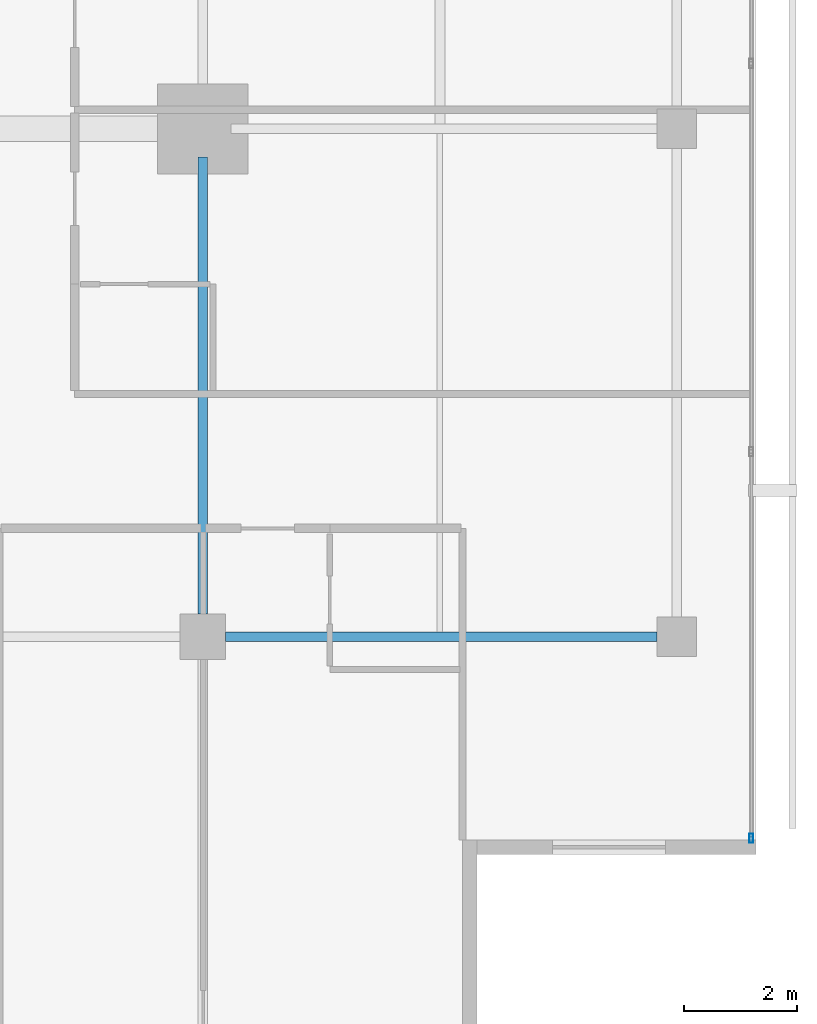
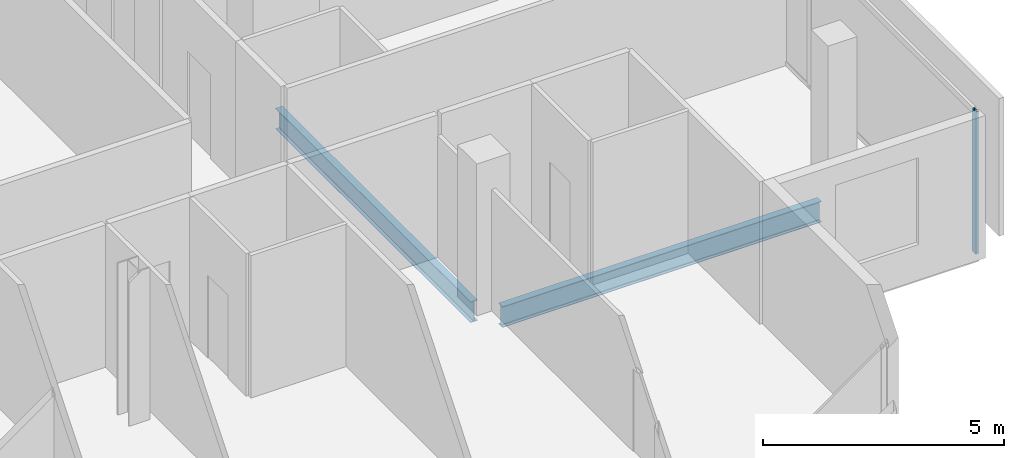
# One storey, part 11 of 26: 2 beams, 1 member, 1 element without a shape of its own.
"""IFC4 building model written with IfcOpenShell, lengths in metres."""

from ifc_helpers import new_model, si_unit, direction, frame, origin, origin_2d, place, context, subcontext, project, spatial, hollow_rectangle, i_section, extrude, material, layer, layer_set, material_profile, profile_set, type_object, element, aggregate, save


model = new_model("IFC4")

# Units and contexts
model_context = context("Model", 3, precision=1e-05, world=origin(), true_north=direction((0.0, 1.0)))
body_context = subcontext(model_context, "Body", "Model", "MODEL_VIEW")
ifc_project = project(units=[si_unit("LENGTHUNIT", "METRE"), si_unit("AREAUNIT", "SQUARE_METRE"), si_unit("VOLUMEUNIT", "CUBIC_METRE"), si_unit("PLANEANGLEUNIT", "RADIAN"), si_unit("MASSUNIT", "GRAM", prefix="KILO")], contexts=[model_context])

# Site, building, storey
site_placement = place(None, origin())
site = spatial("IfcSite", under=ifc_project, at=site_placement, CompositionType="ELEMENT")
building_placement = place(site_placement, origin())
building = spatial("IfcBuilding", under=site, at=building_placement, Name="Maruvema Waterfront Hotel and Observation Tower", CompositionType="ELEMENT")
storey_placement = place(building_placement, frame((0.0, 0.0, 293.300048828125)))
storey = spatial("IfcBuildingStorey", under=building, at=storey_placement, Name="L72", CompositionType="ELEMENT", Elevation=293.300048828125)

# Curtain wall, member
ifc_material_1 = material(Name="Anodised bronze aluminium and solar-control low-E IGU", Category="aluminium")
ifc_layer = layer(ifc_material_1, 0.159912109375, Name="Zone 3 Champagne Inner Thermal Curtain Wall System CW-04")
ifc_layer_set = layer_set([ifc_layer], Name="Anodised bronze aluminium and solar-control low-E IGU")
curtain_wall_type = type_object("IfcCurtainWallType", Name="Zone 3 Champagne Inner Thermal Curtain Wall System CW-04", PredefinedType="USERDEFINED", material=ifc_layer_set)
curtain_wall_placement = place(storey_placement, origin())
curtain_wall = element("IfcCurtainWall", 1, at=curtain_wall_placement, inside=storey, type_object=curtain_wall_type, Name="L72 Curtain Wall CW-L72-E", ObjectType="UNITISED CURTAIN WALL", PredefinedType="USERDEFINED")
ifc_material_2 = material(Name="Anodised architectural bronze aluminium", Category="aluminium")
ifc_material_profile_1 = material_profile(ifc_material_2, hollow_rectangle(XDim=0.06494140625, YDim=0.1650390625, WallThickness=0.00390625, at=origin_2d()), Name="ALU-M65x165")
ifc_profile_set_1 = profile_set([ifc_material_profile_1], Name="Anodised architectural bronze aluminium")
member_type = type_object("IfcMemberType", Name="Curtain Wall Primary Mullion ALU-M65x165", PredefinedType="MULLION", material=ifc_profile_set_1)
member_placement = place(storey_placement, frame((60.1201171875, 14.429931640625, 0.0), z_axis=(0.0, 0.0, 1.0), x_axis=(-1.0, 0.0, 0.0)))
member = element("IfcMember", 2, at=member_placement, type_object=member_type, Name="CW-04 mullion 1", PredefinedType="MULLION", context=body_context, shape_type="SweptSolid", body=[
    extrude(hollow_rectangle(XDim=0.06494140625, YDim=0.1650390625, WallThickness=0.00390625, at=origin_2d()), origin(), (0.0, 0.0, 1.0), 3.60986328125),
])
aggregate(curtain_wall, [member])

# Beams
ifc_material_3 = material(Name="Steel ASTM A572 Grade 50", Category="steel")
ifc_material_profile_2 = material_profile(ifc_material_3, i_section(OverallWidth=0.166015625, OverallDepth=0.529052734375, WebThickness=0.009765625, FlangeThickness=0.013671875, FilletRadius=0.014892578125, at=origin_2d()), Name="W530x74.0")
ifc_profile_set_2 = profile_set([ifc_material_profile_2], Name="Steel ASTM A572 Grade 50")
beam_type = type_object("IfcBeamType", Name="Primary Floor Girder W530x74.0", PredefinedType="BEAM", material=ifc_profile_set_2)
beam_1_placement = place(storey_placement, frame((50.800048828125, 18.0, -0.504638671875), z_axis=(1.0, 0.0, 0.0), x_axis=(0.0, 1.0, 0.0)))
element("IfcBeam", 3, at=beam_1_placement, inside=storey, type_object=beam_type, Name="L72 Floor Girder EW-08", PredefinedType="BEAM", context=body_context, shape_type="SweptSolid", body=[
    extrude(i_section(OverallWidth=0.166015625, OverallDepth=0.529052734375, WebThickness=0.009765625, FlangeThickness=0.013671875, FilletRadius=0.014892578125, at=origin_2d()), origin(), (0.0, 0.0, 1.0), 7.64990234375),
])
beam_2_placement = place(storey_placement, frame((50.39990234375, 18.39990234375, -0.504638671875), z_axis=(0.0, 1.0, 0.0), x_axis=(-1.0, 0.0, 0.0)))
element("IfcBeam", 4, at=beam_2_placement, inside=storey, type_object=beam_type, Name="L72 Floor Girder NS-13", PredefinedType="BEAM", context=body_context, shape_type="SweptSolid", body=[
    extrude(i_section(OverallWidth=0.166015625, OverallDepth=0.529052734375, WebThickness=0.009765625, FlangeThickness=0.013671875, FilletRadius=0.014892578125, at=origin_2d()), origin(), (0.0, 0.0, 1.0), 8.10009765625),
])

save(model, "model.ifc")
